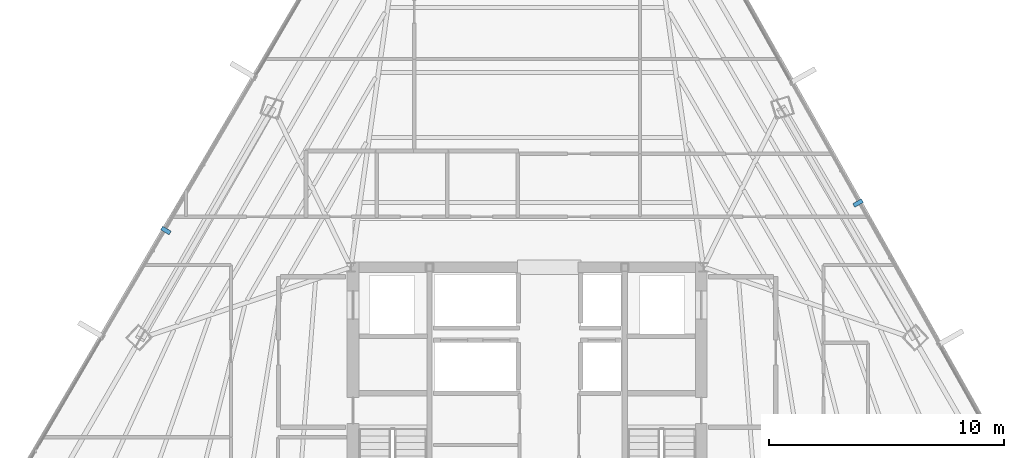
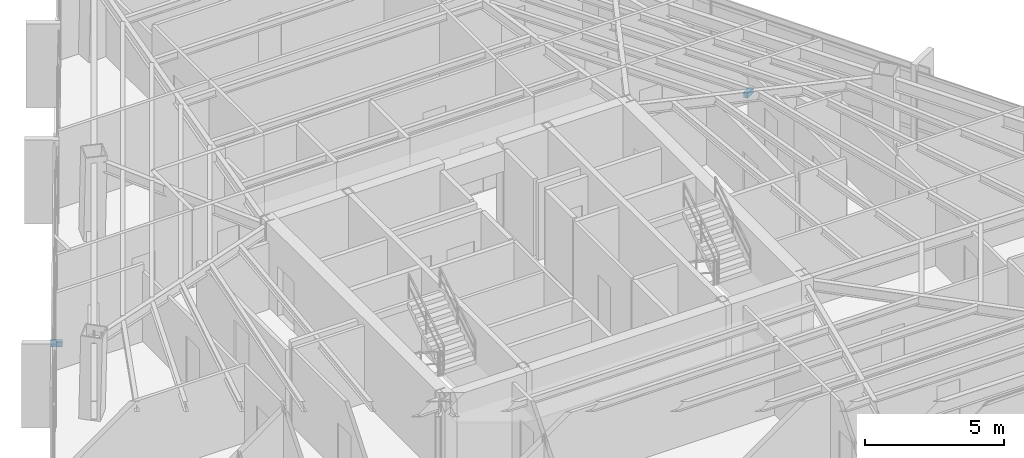
# One storey, part 40 of 44: 2 discrete accessories.
"""IFC4 building model written with IfcOpenShell, lengths in metres."""

import ifcopenshell
import ifcopenshell.guid

model = None  # the IFC model being written
_history = None  # IfcOwnerHistory: only IFC2X3 demands one
_inside = {}  # id of a spatial element -> (the spatial element, [elements in it])
_under = {}  # id of a project, library or spatial element -> (it, [spatial elements below it])
_declared = {}  # id of a project -> (the project, [libraries it declares])
_typed = {}  # id of a type object -> (the type object, [elements of that type])
_made_of = {}  # id of a material, layer set ... -> (it, [elements and type objects made of it])


def new_model(schema):
    """Start an empty IFC model of exactly this schema.

    Asked for "IFC4X3", IfcOpenShell would pick the latest addendum, in which some entities
    have other attributes; the version numbers below select the first issue.
    IFC2X3 requires an IfcOwnerHistory on every rooted entity: one is made here for all.
    """
    global model, _history
    if schema == "IFC4X3":
        model = ifcopenshell.file(schema_version=(4, 3, 0, 0))
    else:
        model = ifcopenshell.file(schema=schema)
    _inside.clear()
    _under.clear()
    _declared.clear()
    _typed.clear()
    _made_of.clear()
    _history = None
    if model.schema == "IFC2X3":
        org = make("IfcOrganization", Name="unknown")
        user = make(
            "IfcPersonAndOrganization",
            ThePerson=make("IfcPerson", FamilyName="unknown"),
            TheOrganization=org,
        )
        app = make(
            "IfcApplication",
            ApplicationDeveloper=org,
            Version="unknown",
            ApplicationFullName="unknown",
            ApplicationIdentifier="unknown",
        )
        _history = make(
            "IfcOwnerHistory",
            OwningUser=user,
            OwningApplication=app,
            ChangeAction="ADDED",
            CreationDate=0,
        )
    return model


def make(cls, **values):
    """One entity of the class cls with the attributes given. An attribute that is None is left unset."""
    return model.create_entity(
        cls, **{name: value for name, value in values.items() if value is not None}
    )


def rooted(cls, **values):
    """An entity with a GlobalId (a new one), such as an element, a storey or a relation."""
    return make(cls, GlobalId=ifcopenshell.guid.new(), OwnerHistory=_history, **values)


def si_unit(unit_type, name, prefix=None):
    """IfcSIUnit, for example si_unit("LENGTHUNIT", "METRE", prefix="MILLI")."""
    return make("IfcSIUnit", UnitType=unit_type, Prefix=prefix, Name=name)


def assignment(units):
    """IfcUnitAssignment: the units of a project."""
    return None if units is None else make("IfcUnitAssignment", Units=units)


def point(xyz):
    """IfcCartesianPoint."""
    return None if xyz is None else make("IfcCartesianPoint", Coordinates=xyz)


def direction(xyz):
    """IfcDirection."""
    return None if xyz is None else make("IfcDirection", DirectionRatios=xyz)


def frame(location, z_axis=None, x_axis=None):
    """IfcAxis2Placement3D, a coordinate frame: its origin and axes. An axis left out is left unset."""
    return make(
        "IfcAxis2Placement3D",
        Location=point(location),
        Axis=direction(z_axis),
        RefDirection=direction(x_axis),
    )


def frame_2d(location, x_axis=None):
    """IfcAxis2Placement2D, a coordinate frame in the plane: its origin and x axis."""
    return make(
        "IfcAxis2Placement2D", Location=point(location), RefDirection=direction(x_axis)
    )


def origin():
    """The frame at (0, 0, 0) with its axes left unset."""
    return frame((0.0, 0.0, 0.0))


def origin_2d():
    """The frame at (0, 0) in the plane with its x axis left unset."""
    return frame_2d((0.0, 0.0))


def place(relative_to, where):
    """IfcLocalPlacement: puts the frame where relative to a parent placement (None: the world)."""
    return make(
        "IfcLocalPlacement", PlacementRelTo=relative_to, RelativePlacement=where
    )


def context(
    kind, dimensions, precision=None, world=None, true_north=None, identifier=None
):
    """IfcGeometricRepresentationContext, for example the 3D "Model" context."""
    return make(
        "IfcGeometricRepresentationContext",
        ContextIdentifier=identifier,
        ContextType=kind,
        CoordinateSpaceDimension=dimensions,
        Precision=precision,
        WorldCoordinateSystem=world,
        TrueNorth=true_north,
    )


def subcontext(parent, identifier, kind, view, scale=None):
    """IfcGeometricRepresentationSubContext, for example "Body" below "Model"."""
    return make(
        "IfcGeometricRepresentationSubContext",
        ContextIdentifier=identifier,
        ContextType=kind,
        ParentContext=parent,
        TargetScale=scale,
        TargetView=view,
    )


def project(units=None, contexts=None):
    """IfcProject with its units and contexts."""
    return rooted(
        "IfcProject",
        Name="project",
        RepresentationContexts=contexts,
        UnitsInContext=assignment(units),
    )


def spatial(cls, under=None, at=None, **own):
    """A site, building, storey or space (cls), placed at a placement, below another one or the project."""
    s = rooted(cls, ObjectPlacement=at, **own)
    if under is not None:
        _under.setdefault(under.id(), (under, []))[1].append(s)
    return s


def profile(cls, at=None, kind="AREA", **sizes):
    """A parametric profile (cls). Its sizes go by their IFC names, for example OverallWidth=200.0."""
    return make(cls, ProfileType=kind, Position=at, **sizes)


def rectangle(**sizes):
    """IfcRectangleProfileDef."""
    return profile("IfcRectangleProfileDef", **sizes)


def extrude(swept, where, along, depth):
    """IfcExtrudedAreaSolid: the profile swept, set in the frame where, extruded along a direction by depth."""
    return make(
        "IfcExtrudedAreaSolid",
        SweptArea=swept,
        Position=where,
        ExtrudedDirection=direction(along),
        Depth=depth,
    )


def shape(context_of_items, identifier, shape_type, items):
    """IfcShapeRepresentation: the items that make up one representation, for example the "Body"."""
    return make(
        "IfcShapeRepresentation",
        ContextOfItems=context_of_items,
        RepresentationIdentifier=identifier,
        RepresentationType=shape_type,
        Items=items,
    )


def source(mapping_origin, context_of_items, identifier, shape_type, items):
    """IfcRepresentationMap: a shape defined once, which mapped items show again and again."""
    return make(
        "IfcRepresentationMap",
        MappingOrigin=mapping_origin,
        MappedRepresentation=shape(context_of_items, identifier, shape_type, items),
    )


def transform(
    local_origin,
    x_axis=None,
    y_axis=None,
    z_axis=None,
    scale=None,
    scale2=None,
    scale3=None,
    uniform=True,
):
    """IfcCartesianTransformationOperator3D, or its non-uniform kind. x_axis, y_axis, z_axis: its Axis1, 2, 3."""
    if uniform:
        return make(
            "IfcCartesianTransformationOperator3D",
            Axis1=direction(x_axis),
            Axis2=direction(y_axis),
            LocalOrigin=point(local_origin),
            Scale=scale,
            Axis3=direction(z_axis),
        )
    return make(
        "IfcCartesianTransformationOperator3DnonUniform",
        Axis1=direction(x_axis),
        Axis2=direction(y_axis),
        LocalOrigin=point(local_origin),
        Scale=scale,
        Axis3=direction(z_axis),
        Scale2=scale2,
        Scale3=scale3,
    )


def mapped(mapping_source, mapping_target):
    """IfcMappedItem: shows the shape of a source again, moved by a transform."""
    return make(
        "IfcMappedItem", MappingSource=mapping_source, MappingTarget=mapping_target
    )


def material(Name=None, Category=None):
    """IfcMaterial."""
    return make("IfcMaterial", Name=Name, Category=Category)


def made_of(thing, what):
    """Note that an element or type object is made of a material, layer set ...; save() writes the relation."""
    if what is not None:
        _made_of.setdefault(what.id(), (what, []))[1].append(thing)
    return thing


def type_object(cls, material=None, **own):
    """A type object (cls), such as IfcWallType, which elements share."""
    return made_of(rooted(cls, **own), material)


def type_shapes(of_type, sources):
    """Give a type object the sources (RepresentationMaps) that its elements show as mapped items."""
    of_type.RepresentationMaps = sources


def element(
    cls,
    number,
    at=None,
    inside=None,
    cuts=None,
    type_object=None,
    material=None,
    context=None,
    identifier="Body",
    shape_type=None,
    held_by="IfcProductDefinitionShape",
    body=None,
    shapes=None,
    **own,
):
    """One element of the class cls, such as IfcWall. Its Tag is "e" and its number.

    at: its placement. inside: the storey or other place that contains it. cuts: it is an
    opening in that element (IfcRelVoidsElement). A single representation is given by context,
    identifier, shape_type and body (its items); several are given by shapes. held_by: the class
    of the entity that holds the representations. save() writes the other relations.
    """
    e = rooted(cls, Tag="e%d" % number, ObjectPlacement=at, **own)
    if body is not None:
        shapes = [shape(context, identifier, shape_type, body)]
    if shapes is not None:
        e.Representation = make(held_by, Representations=shapes)
    if inside is not None:
        _inside.setdefault(inside.id(), (inside, []))[1].append(e)
    if cuts is not None:
        rooted(
            "IfcRelVoidsElement", RelatingBuildingElement=cuts, RelatedOpeningElement=e
        )
    if type_object is not None:
        _typed.setdefault(type_object.id(), (type_object, []))[1].append(e)
    return made_of(e, material)


def aggregate(whole, parts):
    """IfcRelAggregates: a whole, such as a stair, and the parts it consists of."""
    return rooted("IfcRelAggregates", RelatingObject=whole, RelatedObjects=parts)


def save(model, path):
    """Write the relations noted so far, then the file.

    IfcRelAggregates (storeys below a building ...), IfcRelContainedInSpatialStructure (elements
    in a storey), IfcRelDefinesByType, IfcRelAssociatesMaterial and IfcRelDeclares: one each for
    every whole, place, type object, material and project.
    """
    for whole, parts in _under.values():
        aggregate(whole, parts)
    for where, things in _inside.values():
        rooted(
            "IfcRelContainedInSpatialStructure",
            RelatedElements=things,
            RelatingStructure=where,
        )
    for kind, things in _typed.values():
        rooted("IfcRelDefinesByType", RelatedObjects=things, RelatingType=kind)
    for what, things in _made_of.values():
        rooted("IfcRelAssociatesMaterial", RelatedObjects=things, RelatingMaterial=what)
    for by, libraries in _declared.values():
        rooted("IfcRelDeclares", RelatingContext=by, RelatedDefinitions=libraries)
    model.write(path)


model = new_model("IFC4")

# Units and contexts
model_context = context("Model", 3, precision=1e-05, world=origin(), true_north=direction((0.0, 1.0)))
body_context = subcontext(model_context, "Body", "Model", "MODEL_VIEW")
ifc_project = project(units=[si_unit("LENGTHUNIT", "METRE"), si_unit("AREAUNIT", "SQUARE_METRE"), si_unit("VOLUMEUNIT", "CUBIC_METRE"), si_unit("PLANEANGLEUNIT", "RADIAN"), si_unit("MASSUNIT", "GRAM", prefix="KILO")], contexts=[model_context])

# Site, building, storey
site_placement = place(None, origin())
site = spatial("IfcSite", under=ifc_project, at=site_placement, CompositionType="ELEMENT")
building_placement = place(site_placement, origin())
building = spatial("IfcBuilding", under=site, at=building_placement, Name="Caelisora Broadcast Tower", CompositionType="ELEMENT")
storey_placement = place(building_placement, frame((0.0, 0.0, 198.64990234375)))
storey = spatial("IfcBuildingStorey", under=building, at=storey_placement, Name="L52", CompositionType="ELEMENT", Elevation=198.64990234375)

# Discrete accessories
ifc_material = material(Name="Steel Grade 350 (AS/NZS 3679.1)", Category="steel")
discrete_accessory_type = type_object("IfcDiscreteAccessoryType", Name="BRK-1", PredefinedType="BRACKET", material=ifc_material)
shared_shape = source(origin(), body_context, "Body", "SweptSolid", [
    extrude(rectangle(XDim=0.179931640625, YDim=0.419921875, at=origin_2d()), origin(), (0.0, 0.0, 1.0), 0.219970703125),
])
type_shapes(discrete_accessory_type, [shared_shape])
for number, where, z_axis, x_axis, name in (
    (1, (22.6357421875, 31.5634765625, -0.15966796875), (0.0, 0.0, 1.0), (-0.506334807353, -0.862336977557, 0.0), "L52 solar screen outrigger bracket #1"),
    (2, (52.07763671875, 32.733642578125, -0.15966796875), (0.0, 0.0, 1.0), (-0.490903753615, 0.87121381112, 0.0), "L52 solar screen outrigger bracket #3"),
):
    element("IfcDiscreteAccessory", number, at=place(storey_placement, frame(where, z_axis=z_axis, x_axis=x_axis)), inside=storey, type_object=discrete_accessory_type, Name=name, PredefinedType="BRACKET", context=body_context, shape_type="MappedRepresentation", body=[
        mapped(shared_shape, transform((0.0, 0.0, 0.0), scale=1.0)),
    ])

save(model, "model.ifc")
